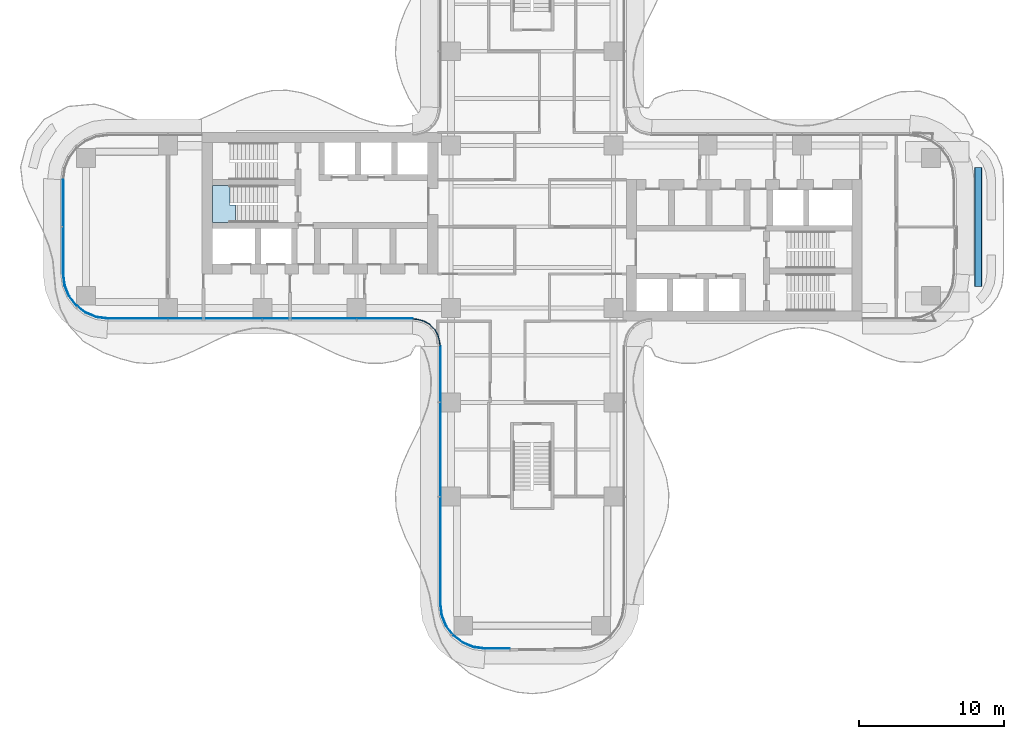
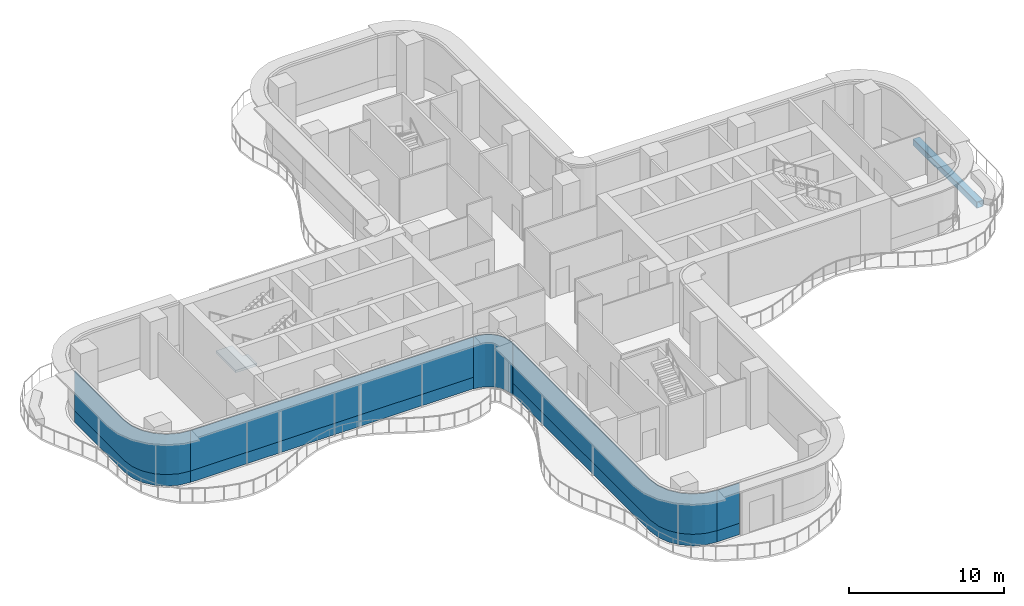
# One storey, part 13 of 21: 9 plates, 1 beam, 1 slab, 6 elements without a shape of their own.
"""IFC4 building model written with IfcOpenShell, lengths in metres."""

import ifcopenshell
import ifcopenshell.guid

model = None  # the IFC model being written
_history = None  # IfcOwnerHistory: only IFC2X3 demands one
_inside = {}  # id of a spatial element -> (the spatial element, [elements in it])
_under = {}  # id of a project, library or spatial element -> (it, [spatial elements below it])
_declared = {}  # id of a project -> (the project, [libraries it declares])
_typed = {}  # id of a type object -> (the type object, [elements of that type])
_made_of = {}  # id of a material, layer set ... -> (it, [elements and type objects made of it])


def new_model(schema):
    """Start an empty IFC model of exactly this schema.

    Asked for "IFC4X3", IfcOpenShell would pick the latest addendum, in which some entities
    have other attributes; the version numbers below select the first issue.
    IFC2X3 requires an IfcOwnerHistory on every rooted entity: one is made here for all.
    """
    global model, _history
    if schema == "IFC4X3":
        model = ifcopenshell.file(schema_version=(4, 3, 0, 0))
    else:
        model = ifcopenshell.file(schema=schema)
    _inside.clear()
    _under.clear()
    _declared.clear()
    _typed.clear()
    _made_of.clear()
    _history = None
    if model.schema == "IFC2X3":
        org = make("IfcOrganization", Name="unknown")
        user = make(
            "IfcPersonAndOrganization",
            ThePerson=make("IfcPerson", FamilyName="unknown"),
            TheOrganization=org,
        )
        app = make(
            "IfcApplication",
            ApplicationDeveloper=org,
            Version="unknown",
            ApplicationFullName="unknown",
            ApplicationIdentifier="unknown",
        )
        _history = make(
            "IfcOwnerHistory",
            OwningUser=user,
            OwningApplication=app,
            ChangeAction="ADDED",
            CreationDate=0,
        )
    return model


def make(cls, **values):
    """One entity of the class cls with the attributes given. An attribute that is None is left unset."""
    return model.create_entity(
        cls, **{name: value for name, value in values.items() if value is not None}
    )


def rooted(cls, **values):
    """An entity with a GlobalId (a new one), such as an element, a storey or a relation."""
    return make(cls, GlobalId=ifcopenshell.guid.new(), OwnerHistory=_history, **values)


def si_unit(unit_type, name, prefix=None):
    """IfcSIUnit, for example si_unit("LENGTHUNIT", "METRE", prefix="MILLI")."""
    return make("IfcSIUnit", UnitType=unit_type, Prefix=prefix, Name=name)


def assignment(units):
    """IfcUnitAssignment: the units of a project."""
    return None if units is None else make("IfcUnitAssignment", Units=units)


def point(xyz):
    """IfcCartesianPoint."""
    return None if xyz is None else make("IfcCartesianPoint", Coordinates=xyz)


def direction(xyz):
    """IfcDirection."""
    return None if xyz is None else make("IfcDirection", DirectionRatios=xyz)


def frame(location, z_axis=None, x_axis=None):
    """IfcAxis2Placement3D, a coordinate frame: its origin and axes. An axis left out is left unset."""
    return make(
        "IfcAxis2Placement3D",
        Location=point(location),
        Axis=direction(z_axis),
        RefDirection=direction(x_axis),
    )


def frame_2d(location, x_axis=None):
    """IfcAxis2Placement2D, a coordinate frame in the plane: its origin and x axis."""
    return make(
        "IfcAxis2Placement2D", Location=point(location), RefDirection=direction(x_axis)
    )


def origin():
    """The frame at (0, 0, 0) with its axes left unset."""
    return frame((0.0, 0.0, 0.0))


def origin_2d():
    """The frame at (0, 0) in the plane with its x axis left unset."""
    return frame_2d((0.0, 0.0))


def place(relative_to, where):
    """IfcLocalPlacement: puts the frame where relative to a parent placement (None: the world)."""
    return make(
        "IfcLocalPlacement", PlacementRelTo=relative_to, RelativePlacement=where
    )


def context(
    kind, dimensions, precision=None, world=None, true_north=None, identifier=None
):
    """IfcGeometricRepresentationContext, for example the 3D "Model" context."""
    return make(
        "IfcGeometricRepresentationContext",
        ContextIdentifier=identifier,
        ContextType=kind,
        CoordinateSpaceDimension=dimensions,
        Precision=precision,
        WorldCoordinateSystem=world,
        TrueNorth=true_north,
    )


def subcontext(parent, identifier, kind, view, scale=None):
    """IfcGeometricRepresentationSubContext, for example "Body" below "Model"."""
    return make(
        "IfcGeometricRepresentationSubContext",
        ContextIdentifier=identifier,
        ContextType=kind,
        ParentContext=parent,
        TargetScale=scale,
        TargetView=view,
    )


def project(units=None, contexts=None):
    """IfcProject with its units and contexts."""
    return rooted(
        "IfcProject",
        Name="project",
        RepresentationContexts=contexts,
        UnitsInContext=assignment(units),
    )


def spatial(cls, under=None, at=None, **own):
    """A site, building, storey or space (cls), placed at a placement, below another one or the project."""
    s = rooted(cls, ObjectPlacement=at, **own)
    if under is not None:
        _under.setdefault(under.id(), (under, []))[1].append(s)
    return s


def polyline(points):
    """IfcPolyline through the points."""
    return make("IfcPolyline", Points=[point(p) for p in points])


def profile(cls, at=None, kind="AREA", **sizes):
    """A parametric profile (cls). Its sizes go by their IFC names, for example OverallWidth=200.0."""
    return make(cls, ProfileType=kind, Position=at, **sizes)


def hollow_rectangle(**sizes):
    """IfcRectangleHollowProfileDef."""
    return profile("IfcRectangleHollowProfileDef", **sizes)


def outline(outer, holes=None, kind="AREA"):
    """IfcArbitraryClosedProfileDef: a profile drawn as a closed curve; with holes, ...WithVoids."""
    if holes is None:
        return make("IfcArbitraryClosedProfileDef", ProfileType=kind, OuterCurve=outer)
    return make(
        "IfcArbitraryProfileDefWithVoids",
        ProfileType=kind,
        OuterCurve=outer,
        InnerCurves=holes,
    )


def extrude(swept, where, along, depth):
    """IfcExtrudedAreaSolid: the profile swept, set in the frame where, extruded along a direction by depth."""
    return make(
        "IfcExtrudedAreaSolid",
        SweptArea=swept,
        Position=where,
        ExtrudedDirection=direction(along),
        Depth=depth,
    )


def shape(context_of_items, identifier, shape_type, items):
    """IfcShapeRepresentation: the items that make up one representation, for example the "Body"."""
    return make(
        "IfcShapeRepresentation",
        ContextOfItems=context_of_items,
        RepresentationIdentifier=identifier,
        RepresentationType=shape_type,
        Items=items,
    )


def source(mapping_origin, context_of_items, identifier, shape_type, items):
    """IfcRepresentationMap: a shape defined once, which mapped items show again and again."""
    return make(
        "IfcRepresentationMap",
        MappingOrigin=mapping_origin,
        MappedRepresentation=shape(context_of_items, identifier, shape_type, items),
    )


def transform(
    local_origin,
    x_axis=None,
    y_axis=None,
    z_axis=None,
    scale=None,
    scale2=None,
    scale3=None,
    uniform=True,
):
    """IfcCartesianTransformationOperator3D, or its non-uniform kind. x_axis, y_axis, z_axis: its Axis1, 2, 3."""
    if uniform:
        return make(
            "IfcCartesianTransformationOperator3D",
            Axis1=direction(x_axis),
            Axis2=direction(y_axis),
            LocalOrigin=point(local_origin),
            Scale=scale,
            Axis3=direction(z_axis),
        )
    return make(
        "IfcCartesianTransformationOperator3DnonUniform",
        Axis1=direction(x_axis),
        Axis2=direction(y_axis),
        LocalOrigin=point(local_origin),
        Scale=scale,
        Axis3=direction(z_axis),
        Scale2=scale2,
        Scale3=scale3,
    )


def mapped(mapping_source, mapping_target):
    """IfcMappedItem: shows the shape of a source again, moved by a transform."""
    return make(
        "IfcMappedItem", MappingSource=mapping_source, MappingTarget=mapping_target
    )


def material(Name=None, Category=None):
    """IfcMaterial."""
    return make("IfcMaterial", Name=Name, Category=Category)


def layer(
    of_material, thickness, ventilated=None, Name=None, Category=None, Priority=None
):
    """IfcMaterialLayer: one layer of a wall or slab, of a material (None: an air gap)."""
    return make(
        "IfcMaterialLayer",
        Material=of_material,
        LayerThickness=thickness,
        IsVentilated=ventilated,
        Name=Name,
        Category=Category,
        Priority=Priority,
    )


def layer_set(layers, Name=None):
    """IfcMaterialLayerSet."""
    return make("IfcMaterialLayerSet", MaterialLayers=layers, LayerSetName=Name)


def material_profile(
    of_material, cross_section, Name=None, Category=None, Priority=None
):
    """IfcMaterialProfile: a cross section and its material."""
    return make(
        "IfcMaterialProfile",
        Name=Name,
        Material=of_material,
        Profile=cross_section,
        Priority=Priority,
        Category=Category,
    )


def profile_set(profiles, Name=None, composite=None):
    """IfcMaterialProfileSet."""
    return make(
        "IfcMaterialProfileSet",
        Name=Name,
        MaterialProfiles=profiles,
        CompositeProfile=composite,
    )


def made_of(thing, what):
    """Note that an element or type object is made of a material, layer set ...; save() writes the relation."""
    if what is not None:
        _made_of.setdefault(what.id(), (what, []))[1].append(thing)
    return thing


def type_object(cls, material=None, **own):
    """A type object (cls), such as IfcWallType, which elements share."""
    return made_of(rooted(cls, **own), material)


def element(
    cls,
    number,
    at=None,
    inside=None,
    cuts=None,
    type_object=None,
    material=None,
    context=None,
    identifier="Body",
    shape_type=None,
    held_by="IfcProductDefinitionShape",
    body=None,
    shapes=None,
    **own,
):
    """One element of the class cls, such as IfcWall. Its Tag is "e" and its number.

    at: its placement. inside: the storey or other place that contains it. cuts: it is an
    opening in that element (IfcRelVoidsElement). A single representation is given by context,
    identifier, shape_type and body (its items); several are given by shapes. held_by: the class
    of the entity that holds the representations. save() writes the other relations.
    """
    e = rooted(cls, Tag="e%d" % number, ObjectPlacement=at, **own)
    if body is not None:
        shapes = [shape(context, identifier, shape_type, body)]
    if shapes is not None:
        e.Representation = make(held_by, Representations=shapes)
    if inside is not None:
        _inside.setdefault(inside.id(), (inside, []))[1].append(e)
    if cuts is not None:
        rooted(
            "IfcRelVoidsElement", RelatingBuildingElement=cuts, RelatedOpeningElement=e
        )
    if type_object is not None:
        _typed.setdefault(type_object.id(), (type_object, []))[1].append(e)
    return made_of(e, material)


def aggregate(whole, parts):
    """IfcRelAggregates: a whole, such as a stair, and the parts it consists of."""
    return rooted("IfcRelAggregates", RelatingObject=whole, RelatedObjects=parts)


def save(model, path):
    """Write the relations noted so far, then the file.

    IfcRelAggregates (storeys below a building ...), IfcRelContainedInSpatialStructure (elements
    in a storey), IfcRelDefinesByType, IfcRelAssociatesMaterial and IfcRelDeclares: one each for
    every whole, place, type object, material and project.
    """
    for whole, parts in _under.values():
        aggregate(whole, parts)
    for where, things in _inside.values():
        rooted(
            "IfcRelContainedInSpatialStructure",
            RelatedElements=things,
            RelatingStructure=where,
        )
    for kind, things in _typed.values():
        rooted("IfcRelDefinesByType", RelatedObjects=things, RelatingType=kind)
    for what, things in _made_of.values():
        rooted("IfcRelAssociatesMaterial", RelatedObjects=things, RelatingMaterial=what)
    for by, libraries in _declared.values():
        rooted("IfcRelDeclares", RelatingContext=by, RelatedDefinitions=libraries)
    model.write(path)


model = new_model("IFC4")

# Units and contexts
model_context = context("Model", 3, precision=1e-05, world=origin(), true_north=direction((0.0, 1.0)))
body_context = subcontext(model_context, "Body", "Model", "MODEL_VIEW")
ifc_project = project(units=[si_unit("LENGTHUNIT", "METRE"), si_unit("AREAUNIT", "SQUARE_METRE"), si_unit("VOLUMEUNIT", "CUBIC_METRE"), si_unit("PLANEANGLEUNIT", "RADIAN"), si_unit("MASSUNIT", "GRAM", prefix="KILO")], contexts=[model_context])

# Site, building, storey
site_placement = place(None, origin())
site = spatial("IfcSite", under=ifc_project, at=site_placement, CompositionType="ELEMENT")
building_placement = place(site_placement, origin())
building = spatial("IfcBuilding", under=site, at=building_placement, Name="Trellis Farm Tower", CompositionType="ELEMENT")
storey_placement = place(building_placement, frame((0.0, 0.0, 97.5)))
storey = spatial("IfcBuildingStorey", under=building, at=storey_placement, Name="L20", CompositionType="ELEMENT", Elevation=97.5)

# Beam
ifc_material_1 = material(Name="Steel S355", Category="steel")
ifc_material_profile = material_profile(ifc_material_1, hollow_rectangle(XDim=0.5, YDim=0.5, WallThickness=0.02001953125, InnerFilletRadius=0.02001953125, OuterFilletRadius=0.030029296875, at=origin_2d()), Name="SHS 500x500x20")
ifc_profile_set = profile_set([ifc_material_profile], Name="Steel S355")
beam_type = type_object("IfcBeamType", Name="SHS 500x500x20", PredefinedType="BEAM", material=ifc_profile_set)
shared_shape_1 = source(origin(), body_context, "Body", "SweptSolid", [
    extrude(hollow_rectangle(XDim=0.5, YDim=0.5, WallThickness=0.02001953125, InnerFilletRadius=0.02001953125, OuterFilletRadius=0.030029296875, at=origin_2d()), origin(), (0.0, 0.0, 1.0), 8.2001953125),
])
beam_placement = place(storey_placement, frame((30.75, -4.10009765625, -0.5), z_axis=(0.0, 1.0, 0.0), x_axis=(-1.0, 0.0, 0.0)))
element("IfcBeam", 1, at=beam_placement, inside=storey, type_object=beam_type, Name="Girder", PredefinedType="BEAM", context=body_context, shape_type="MappedRepresentation", body=[
    mapped(shared_shape_1, transform((0.0, 0.0, 0.0))),
])

# Stair, slab
ifc_material_2 = material(Name="Concrete C50/60", Category="concrete")
stair_type = type_object("IfcStairType", Name="CORE EXIT STAIR 26 RISERS 173 MM", PredefinedType="HALF_TURN_STAIR", material=ifc_material_2)
placement_1 = place(storey_placement, origin())
stair = element("IfcStair", 2, at=placement_1, inside=storey, type_object=stair_type, Name="Exit stair W2", PredefinedType="HALF_TURN_STAIR")
ifc_layer_1 = layer(ifc_material_2, 0.18994140625)
ifc_layer_set_1 = layer_set([ifc_layer_1], Name="CORE STAIR LANDING 190 CONCRETE C50/60")
slab_type = type_object("IfcSlabType", Name="CORE STAIR LANDING 190 CONCRETE C50/60", PredefinedType="LANDING", material=ifc_layer_set_1)
shared_shape_2 = source(origin(), body_context, "Body", "SweptSolid", [
    extrude(outline(polyline([(-20.453125, 1.5), (-20.453125, 0.300048828125), (-20.85009765625, 0.300048828125), (-22.050048828125, 0.300048828125), (-22.050048828125, 2.85009765625), (-20.85009765625, 2.85009765625), (-20.840087890625, 2.85009765625), (-20.840087890625, 1.64990234375), (-20.85009765625, 1.64990234375), (-20.85009765625, 1.5), (-20.453125, 1.5)])), origin(), (0.0, 0.0, 1.0), 0.18994140625),
])
slab_placement = place(storey_placement, frame((0.0, 0.0, 2.06005859375)))
slab = element("IfcSlab", 3, at=slab_placement, type_object=slab_type, Name="STW2 landing 1", PredefinedType="LANDING", context=body_context, shape_type="MappedRepresentation", body=[
    mapped(shared_shape_2, transform((0.0, 0.0, 0.0))),
])
aggregate(stair, [slab])

# Curtain wall, plates
ifc_material_3 = material(Name="Aluminium and glass curtain wall", Category="aluminium")
ifc_layer_2 = layer(ifc_material_3, 0.18994140625)
ifc_layer_set_2 = layer_set([ifc_layer_2], Name="RIBBON CURTAIN WALL CW1")
curtain_wall_type_1 = type_object("IfcCurtainWallType", Name="RIBBON CURTAIN WALL CW1", PredefinedType="NOTDEFINED", material=ifc_layer_set_2)
curtain_wall_1 = element("IfcCurtainWall", 4, at=placement_1, inside=storey, type_object=curtain_wall_type_1, Name="CW1 001", PredefinedType="NOTDEFINED")
ifc_material_4 = material(Name="Clear insulated glass", Category="glass")
ifc_layer_3 = layer(ifc_material_4, 0.0400390625)
ifc_layer_set_3 = layer_set([ifc_layer_3], Name="CW1 GLASS PANEL 40")
plate_type_1 = type_object("IfcPlateType", Name="CW1 GLASS PANEL 40", PredefinedType="CURTAIN_PANEL", material=ifc_layer_set_3)
shared_shape_3 = source(origin(), body_context, "Body", "SweptSolid", [
    extrude(outline(polyline([(-29.240234375, -6.35009765625), (-8.2265625, -6.35009765625), (-8.22509765625, -6.31005859375), (-29.237548828125, -6.31005859375), (-29.240234375, -6.35009765625)])), origin(), (0.0, 0.0, 1.0), 3.170166015625),
])
placement_2 = place(storey_placement, frame((0.0, 0.0, 0.89990234375)))
plate_1 = element("IfcPlate", 5, at=placement_2, type_object=plate_type_1, Name="PL1 001", PredefinedType="CURTAIN_PANEL", context=body_context, shape_type="MappedRepresentation", body=[
    mapped(shared_shape_3, transform((0.0, 0.0, 0.0))),
])
ifc_material_5 = material(Name="Sandstone faced insulated panel", Category="masonry")
ifc_layer_4 = layer(ifc_material_5, 0.050048828125)
ifc_layer_set_4 = layer_set([ifc_layer_4], Name="CW1 STONE SPANDREL PANEL 50")
plate_type_2 = type_object("IfcPlateType", Name="CW1 STONE SPANDREL PANEL 50", PredefinedType="CURTAIN_PANEL", material=ifc_layer_set_4)
shared_shape_4 = source(origin(), body_context, "Body", "SweptSolid", [
    extrude(outline(polyline([(-29.240234375, -6.35009765625), (-8.2265625, -6.35009765625), (-8.224853515625, -6.300048828125), (-29.23681640625, -6.300048828125), (-29.240234375, -6.35009765625)])), origin(), (0.0, 0.0, 1.0), 0.89990234375),
])
plate_2 = element("IfcPlate", 6, at=placement_1, type_object=plate_type_2, Name="PS1 001", PredefinedType="CURTAIN_PANEL", context=body_context, shape_type="MappedRepresentation", body=[
    mapped(shared_shape_4, transform((0.0, 0.0, 0.0))),
])
aggregate(curtain_wall_1, [plate_1, plate_2])

# Curtain wall, plate
ifc_layer_5 = layer(ifc_material_3, 0.166015625)
ifc_layer_set_5 = layer_set([ifc_layer_5], Name="WINTER GARDEN CURTAIN WALL CW3")
curtain_wall_type_2 = type_object("IfcCurtainWallType", Name="WINTER GARDEN CURTAIN WALL CW3", PredefinedType="NOTDEFINED", material=ifc_layer_set_5)
curtain_wall_2 = element("IfcCurtainWall", 7, at=placement_1, inside=storey, type_object=curtain_wall_type_2, Name="CW3 001", PredefinedType="NOTDEFINED")
ifc_layer_6 = layer(ifc_material_4, 0.0458984375)
ifc_layer_set_6 = layer_set([ifc_layer_6], Name="CW3 GLASS PANEL 46")
plate_type_3 = type_object("IfcPlateType", Name="CW3 GLASS PANEL 46", PredefinedType="CURTAIN_PANEL", material=ifc_layer_set_6)
shared_shape_5 = source(origin(), body_context, "Body", "SweptSolid", [
    extrude(outline(polyline([(-8.2275390625, -6.3798828125), (-8.0078125, -6.394287109375), (-7.89208984375, -6.40966796875), (-7.462158203125, -6.52490234375), (-7.070556640625, -6.7509765625), (-6.7509765625, -7.070556640625), (-6.52490234375, -7.462158203125), (-6.40966796875, -7.89208984375), (-6.394287109375, -8.0078125), (-6.3798828125, -8.2275390625), (-6.333984375, -8.22607421875), (-6.3486328125, -8.003173828125), (-6.364501953125, -7.883056640625), (-6.48193359375, -7.4443359375), (-6.714111328125, -7.04248046875), (-7.04248046875, -6.714111328125), (-7.4443359375, -6.48193359375), (-7.883056640625, -6.364501953125), (-8.003173828125, -6.3486328125), (-8.22607421875, -6.333984375), (-8.2275390625, -6.3798828125)])), origin(), (0.0, 0.0, 1.0), 4.10009765625),
])
plate_3 = element("IfcPlate", 8, at=placement_1, type_object=plate_type_3, Name="PL3 001", PredefinedType="CURTAIN_PANEL", context=body_context, shape_type="MappedRepresentation", body=[
    mapped(shared_shape_5, transform((0.0, 0.0, 0.0))),
])
aggregate(curtain_wall_2, [plate_3])

# Curtain wall, plates
curtain_wall_3 = element("IfcCurtainWall", 9, at=placement_1, inside=storey, type_object=curtain_wall_type_1, Name="CW1 002", PredefinedType="NOTDEFINED")
shared_shape_6 = source(origin(), body_context, "Body", "SweptSolid", [
    extrude(outline(polyline([(-6.35009765625, -8.2265625), (-6.35009765625, -25.990234375), (-6.2431640625, -26.802001953125), (-5.93359375, -27.54931640625), (-5.441162109375, -28.191162109375), (-4.79931640625, -28.68359375), (-4.052001953125, -28.9931640625), (-3.240234375, -29.10009765625), (-3.237548828125, -29.06005859375), (-4.04150390625, -28.9541015625), (-4.779296875, -28.648681640625), (-5.41259765625, -28.16259765625), (-5.898681640625, -27.529296875), (-6.2041015625, -26.79150390625), (-6.31005859375, -25.987548828125), (-6.31005859375, -8.22509765625), (-6.35009765625, -8.2265625)])), origin(), (0.0, 0.0, 1.0), 3.170166015625),
])
plate_4 = element("IfcPlate", 10, at=placement_2, type_object=plate_type_1, Name="PL1 002", PredefinedType="CURTAIN_PANEL", context=body_context, shape_type="MappedRepresentation", body=[
    mapped(shared_shape_6, transform((0.0, 0.0, 0.0))),
])
shared_shape_7 = source(origin(), body_context, "Body", "SweptSolid", [
    extrude(outline(polyline([(-6.35009765625, -8.2265625), (-6.35009765625, -25.990234375), (-6.2431640625, -26.802001953125), (-5.93359375, -27.54931640625), (-5.441162109375, -28.191162109375), (-4.79931640625, -28.68359375), (-4.052001953125, -28.9931640625), (-3.240234375, -29.10009765625), (-3.23681640625, -29.050048828125), (-4.0390625, -28.9443359375), (-4.774169921875, -28.639892578125), (-5.405517578125, -28.155517578125), (-5.889892578125, -27.524169921875), (-6.1943359375, -26.7890625), (-6.300048828125, -25.98681640625), (-6.300048828125, -8.224853515625), (-6.35009765625, -8.2265625)])), origin(), (0.0, 0.0, 1.0), 0.89990234375),
])
plate_5 = element("IfcPlate", 11, at=placement_1, type_object=plate_type_2, Name="PS1 002", PredefinedType="CURTAIN_PANEL", context=body_context, shape_type="MappedRepresentation", body=[
    mapped(shared_shape_7, transform((0.0, 0.0, 0.0))),
])
aggregate(curtain_wall_3, [plate_4, plate_5])

curtain_wall_4 = element("IfcCurtainWall", 12, at=placement_1, inside=storey, type_object=curtain_wall_type_1, Name="CW1 014", PredefinedType="NOTDEFINED")
shared_shape_8 = source(origin(), body_context, "Body", "SweptSolid", [
    extrude(outline(polyline([(-32.35009765625, 3.240234375), (-32.35009765625, -3.240234375), (-32.2431640625, -4.052001953125), (-31.93359375, -4.79931640625), (-31.441162109375, -5.441162109375), (-30.79931640625, -5.93359375), (-30.052001953125, -6.2431640625), (-29.240234375, -6.35009765625), (-29.237548828125, -6.31005859375), (-30.04150390625, -6.2041015625), (-30.779296875, -5.898681640625), (-31.41259765625, -5.41259765625), (-31.898681640625, -4.779296875), (-32.2041015625, -4.04150390625), (-32.31005859375, -3.237548828125), (-32.31005859375, 3.237548828125), (-32.35009765625, 3.240234375)])), origin(), (0.0, 0.0, 1.0), 3.170166015625),
])
plate_6 = element("IfcPlate", 13, at=placement_2, type_object=plate_type_1, Name="PL1 014", PredefinedType="CURTAIN_PANEL", context=body_context, shape_type="MappedRepresentation", body=[
    mapped(shared_shape_8, transform((0.0, 0.0, 0.0))),
])
shared_shape_9 = source(origin(), body_context, "Body", "SweptSolid", [
    extrude(outline(polyline([(-32.35009765625, 3.240234375), (-32.35009765625, -3.240234375), (-32.2431640625, -4.052001953125), (-31.93359375, -4.79931640625), (-31.441162109375, -5.441162109375), (-30.79931640625, -5.93359375), (-30.052001953125, -6.2431640625), (-29.240234375, -6.35009765625), (-29.23681640625, -6.300048828125), (-30.0390625, -6.1943359375), (-30.774169921875, -5.889892578125), (-31.405517578125, -5.405517578125), (-31.889892578125, -4.774169921875), (-32.1943359375, -4.0390625), (-32.300048828125, -3.23681640625), (-32.300048828125, 3.23681640625), (-32.35009765625, 3.240234375)])), origin(), (0.0, 0.0, 1.0), 0.89990234375),
])
plate_7 = element("IfcPlate", 14, at=placement_1, type_object=plate_type_2, Name="PS1 014", PredefinedType="CURTAIN_PANEL", context=body_context, shape_type="MappedRepresentation", body=[
    mapped(shared_shape_9, transform((0.0, 0.0, 0.0))),
])
aggregate(curtain_wall_4, [plate_6, plate_7])

curtain_wall_5 = element("IfcCurtainWall", 15, at=placement_1, inside=storey, type_object=curtain_wall_type_1, Name="CW1 003", PredefinedType="NOTDEFINED")
shared_shape_10 = source(origin(), body_context, "Body", "SweptSolid", [
    extrude(outline(polyline([(-3.240234375, -29.10009765625), (-1.56005859375, -29.10009765625), (-1.56005859375, -29.06005859375), (-3.237548828125, -29.06005859375), (-3.240234375, -29.10009765625)])), origin(), (0.0, 0.0, 1.0), 3.170166015625),
])
plate_8 = element("IfcPlate", 16, at=placement_2, type_object=plate_type_1, Name="PL1 003", PredefinedType="CURTAIN_PANEL", context=body_context, shape_type="MappedRepresentation", body=[
    mapped(shared_shape_10, transform((0.0, 0.0, 0.0))),
])
shared_shape_11 = source(origin(), body_context, "Body", "SweptSolid", [
    extrude(outline(polyline([(-3.240234375, -29.10009765625), (-1.56005859375, -29.10009765625), (-1.56005859375, -29.050048828125), (-3.23681640625, -29.050048828125), (-3.240234375, -29.10009765625)])), origin(), (0.0, 0.0, 1.0), 0.89990234375),
])
plate_9 = element("IfcPlate", 17, at=placement_1, type_object=plate_type_2, Name="PS1 003", PredefinedType="CURTAIN_PANEL", context=body_context, shape_type="MappedRepresentation", body=[
    mapped(shared_shape_11, transform((0.0, 0.0, 0.0))),
])
aggregate(curtain_wall_5, [plate_8, plate_9])

save(model, "model.ifc")
